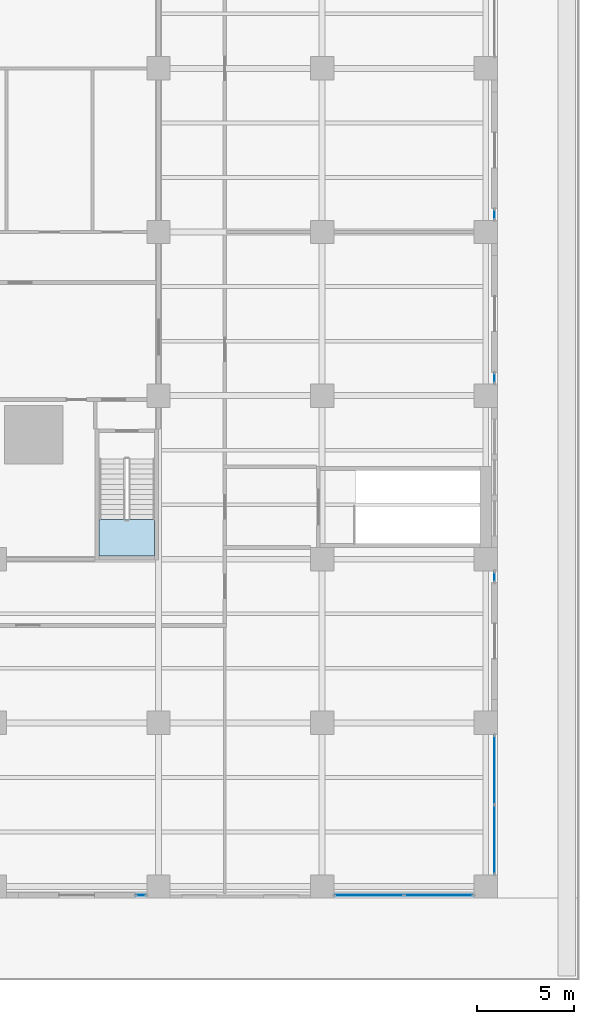
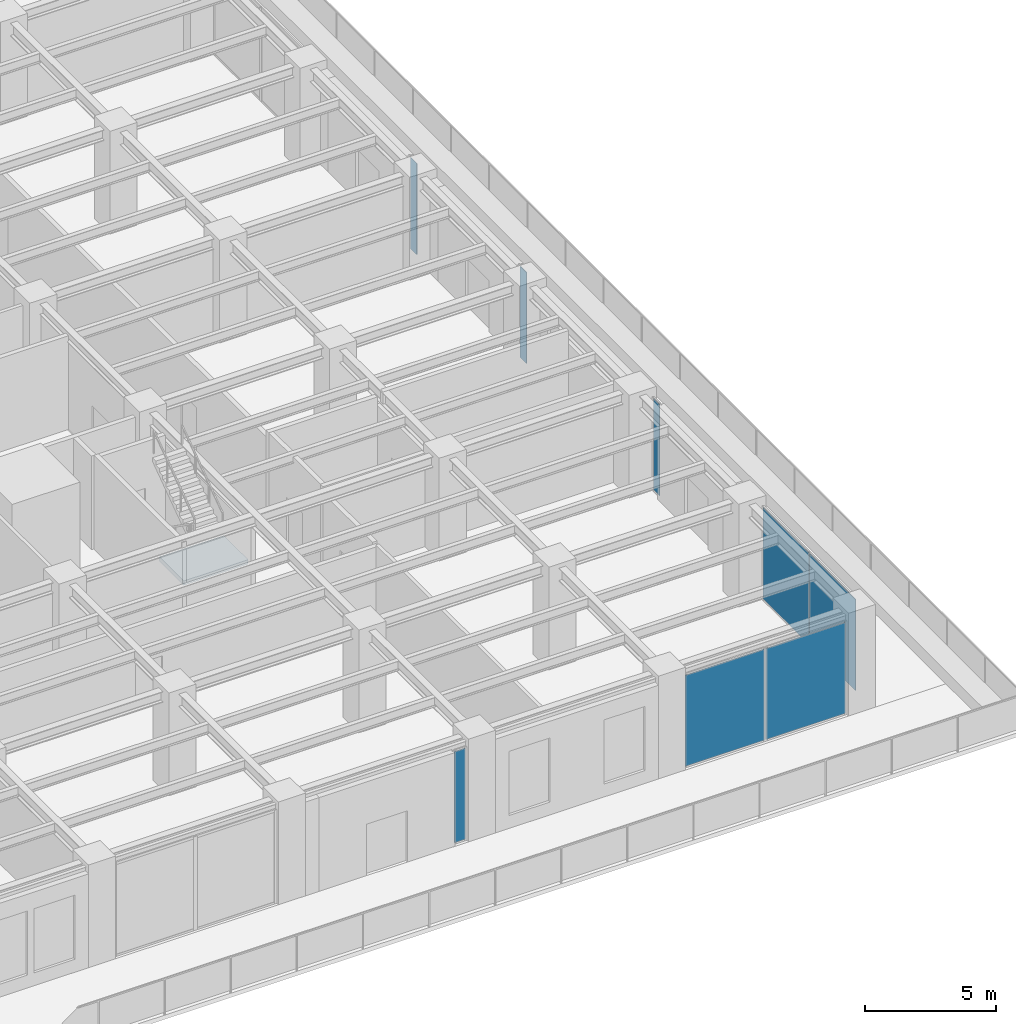
# One storey, part 28 of 53: 8 plates, 1 slab, 7 elements without a shape of their own.
"""IFC4 building model written with IfcOpenShell, lengths in metres."""

from ifc_helpers import new_model, si_unit, direction, frame, origin, origin_2d, place, context, subcontext, project, spatial, polyline, rectangle, outline, extrude, material, layer, layer_set, type_object, element, aggregate, save


model = new_model("IFC4")

# Units and contexts
model_context = context("Model", 3, precision=1e-05, world=origin(), true_north=direction((0.0, 1.0)))
body_context = subcontext(model_context, "Body", "Model", "MODEL_VIEW")
ifc_project = project(units=[si_unit("LENGTHUNIT", "METRE"), si_unit("AREAUNIT", "SQUARE_METRE"), si_unit("VOLUMEUNIT", "CUBIC_METRE"), si_unit("PLANEANGLEUNIT", "RADIAN"), si_unit("MASSUNIT", "GRAM", prefix="KILO")], contexts=[model_context])

# Site, building, storey
site_placement = place(None, origin())
site = spatial("IfcSite", under=ifc_project, at=site_placement, CompositionType="ELEMENT")
building_placement = place(site_placement, origin())
building = spatial("IfcBuilding", under=site, at=building_placement, Name="Khepri Terraces", CompositionType="ELEMENT")
storey_placement = place(building_placement, frame((0.0, 0.0, 7.199951171875)))
storey = spatial("IfcBuildingStorey", under=building, at=storey_placement, Name="L01", CompositionType="ELEMENT", Elevation=7.199951171875)

# Curtain wall, plate
ifc_material_1 = material(Name="Anodised aluminium bronze curtain wall", Category="aluminium")
curtain_wall_type = type_object("IfcCurtainWallType", Name="CW-SYS2-PODIUM", PredefinedType="NOTDEFINED", material=ifc_material_1)
curtain_wall_1_placement = place(storey_placement, origin())
curtain_wall_1 = element("IfcCurtainWall", 1, at=curtain_wall_1_placement, inside=storey, type_object=curtain_wall_type, Name="Curtain wall CW2 L01 S", PredefinedType="NOTDEFINED")
ifc_material_2 = material(Name="Clear glass", Category="glass")
ifc_layer_1 = layer(ifc_material_2, 0.028076171875, Name="Clear glass", Category="glass")
ifc_layer_set_1 = layer_set([ifc_layer_1], Name="Clear glass")
plate_type = type_object("IfcPlateType", Name="CW-PANEL-VISION-28", PredefinedType="CURTAIN_PANEL", material=ifc_layer_set_1)
plate_1_placement = place(storey_placement, frame((24.300048828125, -42.449951171875, 0.06005859375), z_axis=(0.0, 0.0, 1.0), x_axis=(1.0, 0.0, 0.0)))
plate_1 = element("IfcPlate", 2, at=plate_1_placement, type_object=plate_type, Name="CW2 panel 1.1", PredefinedType="CURTAIN_PANEL", context=body_context, shape_type="SweptSolid", body=[
    extrude(rectangle(XDim=0.47998046875, YDim=0.028076171875, at=origin_2d()), origin(), (0.0, 0.0, 1.0), 4.260009765625),
])
aggregate(curtain_wall_1, [plate_1])

# Curtain wall, plates
curtain_wall_2_placement = place(storey_placement, origin())
curtain_wall_2 = element("IfcCurtainWall", 3, at=curtain_wall_2_placement, inside=storey, type_object=curtain_wall_type, Name="Curtain wall CW2 L01 S", PredefinedType="NOTDEFINED")
plate_2_placement = place(storey_placement, frame((36.014892578125, -42.449951171875, 0.06005859375), z_axis=(0.0, 0.0, 1.0), x_axis=(1.0, 0.0, 0.0)))
plate_2 = element("IfcPlate", 4, at=plate_2_placement, type_object=plate_type, Name="CW2 panel 1.1", PredefinedType="CURTAIN_PANEL", context=body_context, shape_type="SweptSolid", body=[
    extrude(rectangle(XDim=3.510009765625, YDim=0.028076171875, at=origin_2d()), origin(), (0.0, 0.0, 1.0), 4.260009765625),
])
plate_3_placement = place(storey_placement, frame((39.5849609375, -42.449951171875, 0.06005859375), z_axis=(0.0, 0.0, 1.0), x_axis=(1.0, 0.0, 0.0)))
plate_3 = element("IfcPlate", 5, at=plate_3_placement, type_object=plate_type, Name="CW2 panel 2.1", PredefinedType="CURTAIN_PANEL", context=body_context, shape_type="SweptSolid", body=[
    extrude(rectangle(XDim=3.510009765625, YDim=0.028076171875, at=origin_2d()), origin(), (0.0, 0.0, 1.0), 4.260009765625),
])
aggregate(curtain_wall_2, [plate_2, plate_3])

curtain_wall_3_placement = place(storey_placement, origin())
curtain_wall_3 = element("IfcCurtainWall", 6, at=curtain_wall_3_placement, inside=storey, type_object=curtain_wall_type, Name="Curtain wall CW2 L01 E", PredefinedType="NOTDEFINED")
plate_4_placement = place(storey_placement, frame((42.449951171875, -39.5849609375, 0.06005859375), z_axis=(0.0, 0.0, 1.0), x_axis=(0.0, 1.0, 0.0)))
plate_4 = element("IfcPlate", 7, at=plate_4_placement, type_object=plate_type, Name="CW2 panel 1.1", PredefinedType="CURTAIN_PANEL", context=body_context, shape_type="SweptSolid", body=[
    extrude(rectangle(XDim=3.510009765625, YDim=0.028076171875, at=origin_2d()), origin(), (0.0, 0.0, 1.0), 4.260009765625),
])
plate_5_placement = place(storey_placement, frame((42.449951171875, -36.014892578125, 0.06005859375), z_axis=(0.0, 0.0, 1.0), x_axis=(0.0, 1.0, 0.0)))
plate_5 = element("IfcPlate", 8, at=plate_5_placement, type_object=plate_type, Name="CW2 panel 2.1", PredefinedType="CURTAIN_PANEL", context=body_context, shape_type="SweptSolid", body=[
    extrude(rectangle(XDim=3.510009765625, YDim=0.028076171875, at=origin_2d()), origin(), (0.0, 0.0, 1.0), 4.260009765625),
])
aggregate(curtain_wall_3, [plate_4, plate_5])

# Curtain wall, plate
curtain_wall_4_placement = place(storey_placement, origin())
curtain_wall_4 = element("IfcCurtainWall", 9, at=curtain_wall_4_placement, inside=storey, type_object=curtain_wall_type, Name="Curtain wall CW2 L01 E", PredefinedType="NOTDEFINED")
plate_6_placement = place(storey_placement, frame((42.449951171875, -26.10009765625, 0.06005859375), z_axis=(0.0, 0.0, 1.0), x_axis=(0.0, 1.0, 0.0)))
plate_6 = element("IfcPlate", 10, at=plate_6_placement, type_object=plate_type, Name="CW2 panel 1.1", PredefinedType="CURTAIN_PANEL", context=body_context, shape_type="SweptSolid", body=[
    extrude(rectangle(XDim=0.47998046875, YDim=0.028076171875, at=origin_2d()), origin(), (0.0, 0.0, 1.0), 4.260009765625),
])
aggregate(curtain_wall_4, [plate_6])

curtain_wall_5_placement = place(storey_placement, origin())
curtain_wall_5 = element("IfcCurtainWall", 11, at=curtain_wall_5_placement, inside=storey, type_object=curtain_wall_type, Name="Curtain wall CW2 L01 E", PredefinedType="NOTDEFINED")
plate_7_placement = place(storey_placement, frame((42.449951171875, -15.89990234375, 0.06005859375), z_axis=(0.0, 0.0, 1.0), x_axis=(0.0, 1.0, 0.0)))
plate_7 = element("IfcPlate", 12, at=plate_7_placement, type_object=plate_type, Name="CW2 panel 1.1", PredefinedType="CURTAIN_PANEL", context=body_context, shape_type="SweptSolid", body=[
    extrude(rectangle(XDim=0.47998046875, YDim=0.028076171875, at=origin_2d()), origin(), (0.0, 0.0, 1.0), 4.260009765625),
])
aggregate(curtain_wall_5, [plate_7])

curtain_wall_6_placement = place(storey_placement, origin())
curtain_wall_6 = element("IfcCurtainWall", 13, at=curtain_wall_6_placement, inside=storey, type_object=curtain_wall_type, Name="Curtain wall CW2 L01 E", PredefinedType="NOTDEFINED")
plate_8_placement = place(storey_placement, frame((42.449951171875, -7.5, 0.06005859375), z_axis=(0.0, 0.0, 1.0), x_axis=(0.0, 1.0, 0.0)))
plate_8 = element("IfcPlate", 14, at=plate_8_placement, type_object=plate_type, Name="CW2 panel 1.1", PredefinedType="CURTAIN_PANEL", context=body_context, shape_type="SweptSolid", body=[
    extrude(rectangle(XDim=0.47998046875, YDim=0.028076171875, at=origin_2d()), origin(), (0.0, 0.0, 1.0), 4.260009765625),
])
aggregate(curtain_wall_6, [plate_8])

# Stair, slab
ifc_material_3 = material(Name="Concrete C40/50", Category="concrete")
stair_type = type_object("IfcStairType", Name="ST-POD", PredefinedType="HALF_TURN_STAIR", material=ifc_material_3)
stair_placement = place(storey_placement, origin())
stair = element("IfcStair", 15, at=stair_placement, inside=storey, type_object=stair_type, Name="L01 Exit Stair PS-3", PredefinedType="HALF_TURN_STAIR")
ifc_layer_2 = layer(ifc_material_3, 0.199951171875, Name="Concrete C40/50", Category="concrete")
ifc_layer_set_2 = layer_set([ifc_layer_2], Name="Concrete C40/50")
slab_type = type_object("IfcSlabType", Name="SL-POD", PredefinedType="LANDING", material=ifc_layer_set_2)
slab_placement = place(storey_placement, frame((0.0, 0.0, 2.199951171875)))
slab = element("IfcSlab", 16, at=slab_placement, type_object=slab_type, Name="PS-3 landing 1", PredefinedType="LANDING", context=body_context, shape_type="SweptSolid", body=[
    extrude(outline(polyline([(22.14990234375, -23.169921875), (22.14990234375, -25.0400390625), (25.0, -25.0400390625), (25.0, -23.169921875), (22.14990234375, -23.169921875)])), origin(), (0.0, 0.0, 1.0), 0.2001953125),
])
aggregate(stair, [slab])

save(model, "model.ifc")
